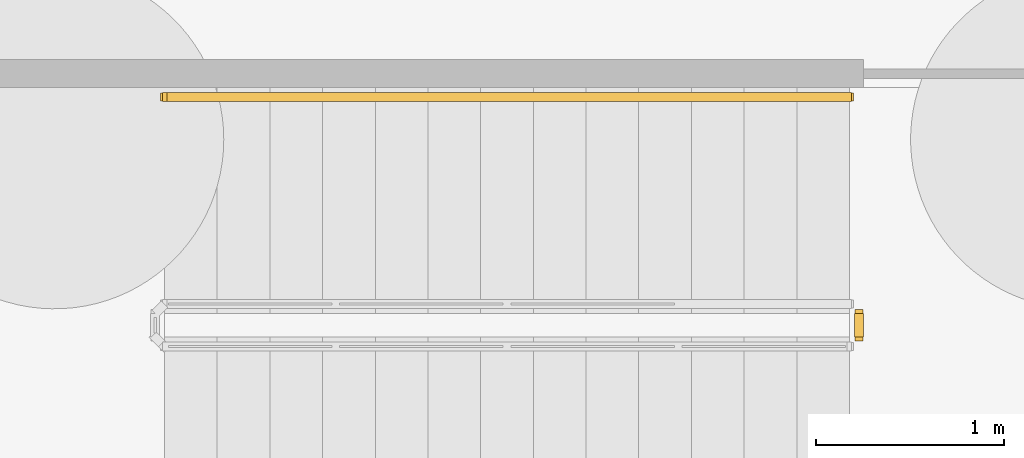
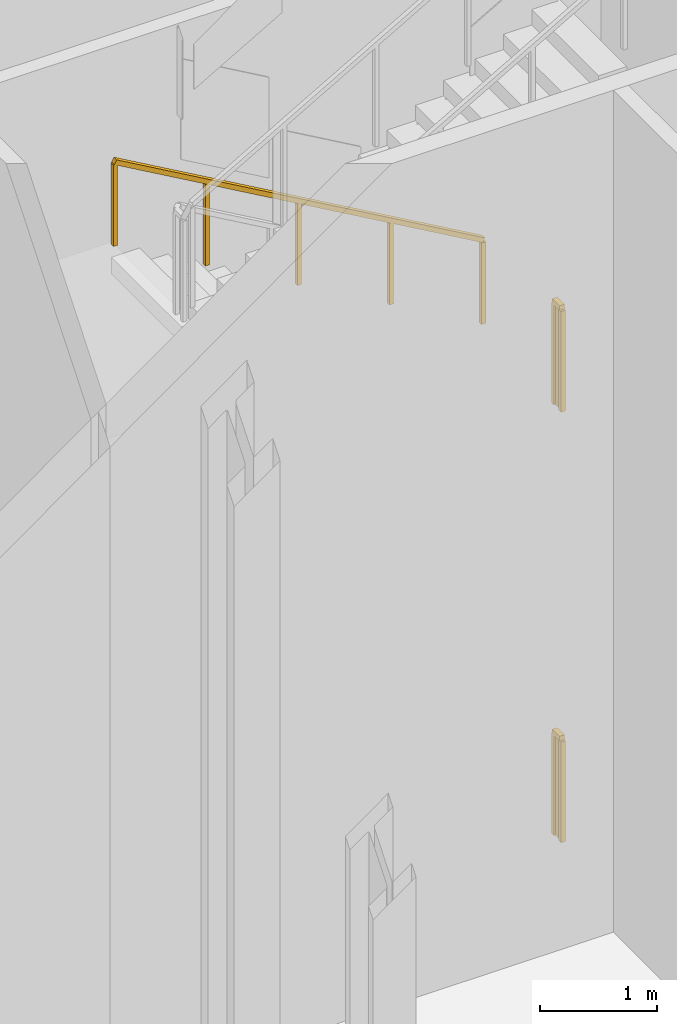
# One storey, part 32 of 38: 3 railings.
"""IFC4 building model written with IfcOpenShell, lengths in metres."""

from ifc_helpers import new_model, si_unit, direction, frame, origin, origin_2d, place, context, subcontext, project, spatial, polyline, rectangle, outline, extrude, material, type_object, element, save


model = new_model("IFC4")

# Units and contexts
model_context = context("Model", 3, precision=1e-05, world=origin(), true_north=direction((0.0, 1.0)))
body_context = subcontext(model_context, "Body", "Model", "MODEL_VIEW")
ifc_project = project(units=[si_unit("LENGTHUNIT", "METRE"), si_unit("AREAUNIT", "SQUARE_METRE"), si_unit("VOLUMEUNIT", "CUBIC_METRE"), si_unit("PLANEANGLEUNIT", "RADIAN"), si_unit("MASSUNIT", "GRAM", prefix="KILO")], contexts=[model_context])

# Site, building, storey
site_placement = place(None, origin())
site = spatial("IfcSite", under=ifc_project, at=site_placement, CompositionType="ELEMENT")
building_placement = place(site_placement, origin())
building = spatial("IfcBuilding", under=site, at=building_placement, Name="Cairn Pilgrim Tower", CompositionType="ELEMENT")
storey_placement = place(building_placement, origin())
storey = spatial("IfcBuildingStorey", under=building, at=storey_placement, Name="L00", CompositionType="ELEMENT", Elevation=0.0)

# Railings
ifc_material = material(Name="Painted steel", Category="steel")
railing_type_1 = type_object("IfcRailingType", Name="STAIR GUARD 1100", PredefinedType="GUARDRAIL", material=ifc_material)
for number, where, name in (
    (1, (11.47509765625, -3.97509765625, 4.5), "L00 ST-A stair guard 2"),
    (2, (11.47509765625, -3.97509765625, 0.0), "L00 ST-A stair guard 4"),
):
    element("IfcRailing", number, at=place(storey_placement, frame(where)), inside=storey, type_object=railing_type_1, Name=name, PredefinedType="GUARDRAIL", context=body_context, shape_type="SweptSolid", body=[
        extrude(rectangle(XDim=0.048095703125, YDim=0.048095703125, at=origin_2d()), frame((0.0, 0.0, 1.076171875), z_axis=(0.0, -1.0, 0.0), x_axis=(1.0, 0.0, 0.0)), (0.0, 0.0, 1.0), 0.125),
        extrude(rectangle(XDim=0.0419921875, YDim=0.0419921875, at=origin_2d()), origin(), (0.0, 0.0, 1.0), 1.052001953125),
        extrude(rectangle(XDim=0.0419921875, YDim=0.0419921875, at=origin_2d()), frame((0.0, -0.125, 0.0)), (0.0, 0.0, 1.0), 1.052001953125),
        extrude(outline(polyline([(0.02099609375, 0.0), (0.10400390625, 0.0), (0.10400390625, 1.052001953125), (0.02099609375, 1.052001953125), (0.02099609375, 0.0)])), frame((0.005859375, 0.0, 0.0), z_axis=(-1.0, 0.0, 0.0), x_axis=(0.0, -1.0, 0.0)), (0.0, 0.0, 1.0), 0.011962890625),
    ])
railing_type_2 = type_object("IfcRailingType", Name="STAIR HANDRAIL 900", PredefinedType="HANDRAIL", material=ifc_material)
railing_placement = place(storey_placement, frame((11.425048828125, -2.824951171875, 4.66064453125)))
element("IfcRailing", 3, at=railing_placement, inside=storey, type_object=railing_type_2, Name="L00 ST-A stair handrail 3", PredefinedType="HANDRAIL", context=body_context, shape_type="SweptSolid", body=[
    extrude(rectangle(XDim=0.048095703125, YDim=0.048095703125, at=origin_2d()), frame((0.0, 0.0, 0.8759765625), z_axis=(-0.867289372828, 0.0, 0.497804322781), x_axis=(0.0, -1.0, 0.0)), (0.0, 0.0, 1.0), 4.197021484375),
    extrude(rectangle(XDim=0.0419921875, YDim=0.0419921875, at=origin_2d()), origin(), (0.0, 0.0, 1.0), 0.851806640625),
    extrude(rectangle(XDim=0.0419921875, YDim=0.0419921875, at=origin_2d()), frame((-0.91015625, 0.0, 0.5224609375)), (0.0, 0.0, 1.0), 0.851806640625),
    extrude(rectangle(XDim=0.0419921875, YDim=0.0419921875, at=origin_2d()), frame((-1.820068359375, 0.0, 1.044677734375)), (0.0, 0.0, 1.0), 0.851806640625),
    extrude(rectangle(XDim=0.0419921875, YDim=0.0419921875, at=origin_2d()), frame((-2.72998046875, 0.0, 1.56689453125)), (0.0, 0.0, 1.0), 0.851806640625),
    extrude(rectangle(XDim=0.0419921875, YDim=0.0419921875, at=origin_2d()), frame((-3.64013671875, 0.0, 2.08935546875)), (0.0, 0.0, 1.0), 0.851806640625),
])

save(model, "model.ifc")
